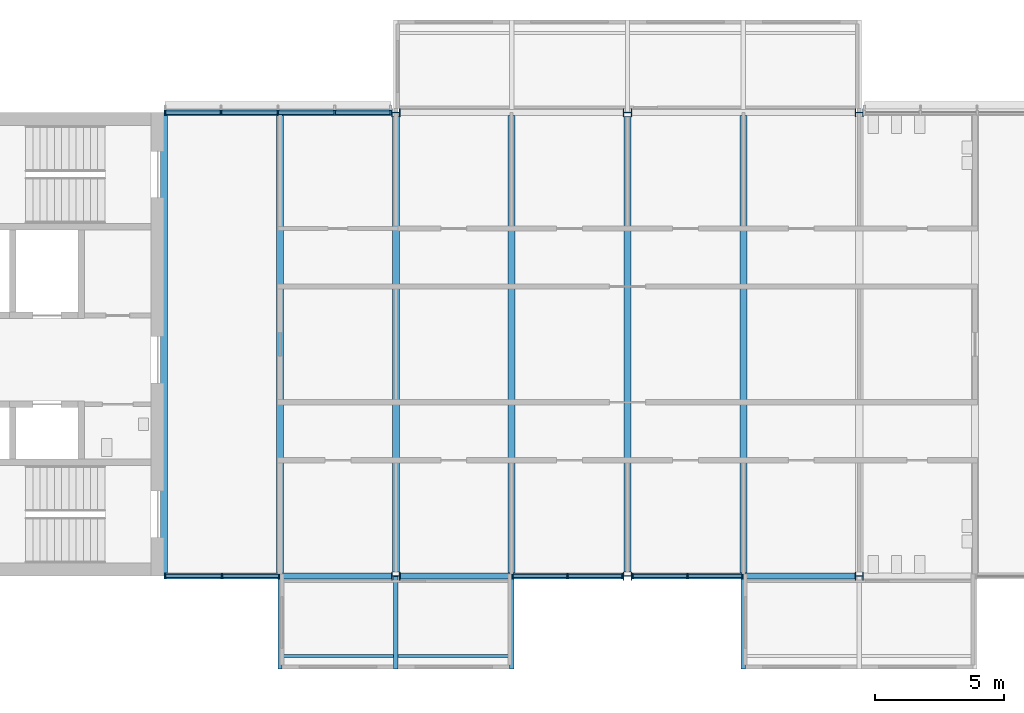
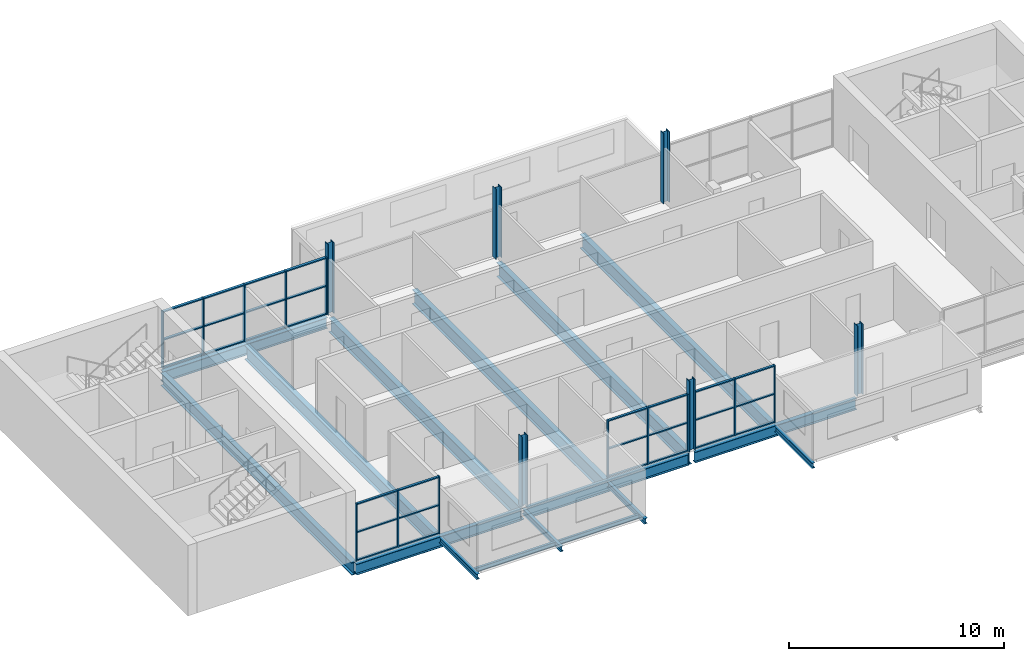
# One storey, part 1 of 10: 44 members, 16 beams, 6 columns, 4 elements without a shape of their own.
"""IFC4 building model written with IfcOpenShell, lengths in metres."""

from ifc_helpers import new_model, si_unit, direction, frame, origin, origin_2d, place, context, subcontext, project, spatial, rectangle, i_section, extrude, material, layer, layer_set, material_profile, profile_set, type_object, element, aggregate, save


model = new_model("IFC4")

# Units and contexts
model_context = context("Model", 3, precision=1e-05, world=origin(), true_north=direction((0.0, 1.0)))
body_context = subcontext(model_context, "Body", "Model", "MODEL_VIEW")
ifc_project = project(units=[si_unit("LENGTHUNIT", "METRE"), si_unit("AREAUNIT", "SQUARE_METRE"), si_unit("VOLUMEUNIT", "CUBIC_METRE"), si_unit("PLANEANGLEUNIT", "RADIAN"), si_unit("MASSUNIT", "GRAM", prefix="KILO")], contexts=[model_context])

# Site, building, storey
site_placement = place(None, origin())
site = spatial("IfcSite", under=ifc_project, at=site_placement, CompositionType="ELEMENT")
building_placement = place(site_placement, origin())
building = spatial("IfcBuilding", under=site, at=building_placement, Name="Corbel Yard City Hall", CompositionType="ELEMENT")
storey_placement = place(building_placement, frame((0.0, 0.0, 59.199951171875)))
storey = spatial("IfcBuildingStorey", under=building, at=storey_placement, Name="L14", CompositionType="ELEMENT", Elevation=59.199951171875)

# Columns
ifc_material_1 = material(Name="Steel Grade 300 (300 MPa yield)", Category="steel")
ifc_material_profile_1 = material_profile(ifc_material_1, i_section(OverallWidth=0.31103515625, OverallDepth=0.326904296875, WebThickness=0.015625, FlangeThickness=0.02490234375, at=origin_2d()), Name="310UC158")
ifc_profile_set_1 = profile_set([ifc_material_profile_1], Name="Steel Grade 300 (300 MPa yield)")
column_type = type_object("IfcColumnType", Name="Column 310UC158", PredefinedType="COLUMN", material=ifc_profile_set_1)
for number, where, z_axis, x_axis, name in (
    (1, (18.0, 99.0, 0.0), (0.0, 0.0, 1.0), (0.0, 1.0, 0.0), "Column 310UC158 L/3 L14"),
    (2, (18.0, 117.0, 0.0), (0.0, 0.0, 1.0), (0.0, 1.0, 0.0), "Column 310UC158 N/3 L14"),
    (3, (27.0, 99.0, 0.0), (0.0, 0.0, 1.0), (0.0, 1.0, 0.0), "Column 310UC158 L/4 L14"),
    (4, (27.0, 117.0, 0.0), (0.0, 0.0, 1.0), (0.0, 1.0, 0.0), "Column 310UC158 N/4 L14"),
    (5, (36.0, 99.0, 0.0), (0.0, 0.0, 1.0), (0.0, 1.0, 0.0), "Column 310UC158 L/5 L14"),
    (6, (36.0, 117.0, 0.0), (0.0, 0.0, 1.0), (0.0, 1.0, 0.0), "Column 310UC158 N/5 L14"),
):
    element("IfcColumn", number, at=place(storey_placement, frame(where, z_axis=z_axis, x_axis=x_axis)), inside=storey, type_object=column_type, Name=name, PredefinedType="COLUMN", context=body_context, shape_type="SweptSolid", body=[
        extrude(i_section(OverallWidth=0.31103515625, OverallDepth=0.326904296875, WebThickness=0.015625, FlangeThickness=0.02490234375, at=origin_2d()), origin(), (0.0, 0.0, 1.0), 4.0),
    ])

# Beams
ifc_material_profile_2 = material_profile(ifc_material_1, i_section(OverallWidth=0.22900390625, OverallDepth=0.612060546875, WebThickness=0.011962890625, FlangeThickness=0.01953125, at=origin_2d()), Name="610UB125")
ifc_profile_set_2 = profile_set([ifc_material_profile_2], Name="Steel Grade 300 (300 MPa yield)")
beam_type_1 = type_object("IfcBeamType", Name="Edge beam 610UB125", PredefinedType="BEAM", material=ifc_profile_set_2)
beam_1_placement = place(storey_placement, frame((9.0, 99.0, -0.4560546875), z_axis=(1.0, 0.0, 0.0), x_axis=(0.0, 1.0, 0.0)))
element("IfcBeam", 7, at=beam_1_placement, inside=storey, type_object=beam_type_1, Name="Edge beam 610UB125 EB7 L14tower", PredefinedType="BEAM", context=body_context, shape_type="SweptSolid", body=[
    extrude(i_section(OverallWidth=0.22900390625, OverallDepth=0.612060546875, WebThickness=0.011962890625, FlangeThickness=0.01953125, at=origin_2d()), origin(), (0.0, 0.0, 1.0), 8.83642578125),
])
for number, where, z_axis, x_axis, name in (
    (8, (18.16357421875, 99.0, -0.4560546875), (1.0, 0.0, 0.0), (0.0, 1.0, 0.0), "Edge beam 610UB125 EB7 L14tower"),
    (9, (27.16357421875, 99.0, -0.4560546875), (1.0, 0.0, 0.0), (0.0, 1.0, 0.0), "Edge beam 610UB125 EB7 L14tower"),
):
    element("IfcBeam", number, at=place(storey_placement, frame(where, z_axis=z_axis, x_axis=x_axis)), inside=storey, type_object=beam_type_1, Name=name, PredefinedType="BEAM", context=body_context, shape_type="SweptSolid", body=[
        extrude(i_section(OverallWidth=0.22900390625, OverallDepth=0.612060546875, WebThickness=0.011962890625, FlangeThickness=0.01953125, at=origin_2d()), origin(), (0.0, 0.0, 1.0), 8.6728515625),
    ])
beam_2_placement = place(storey_placement, frame((9.0, 117.0, -0.4560546875), z_axis=(1.0, 0.0, 0.0), x_axis=(0.0, 1.0, 0.0)))
element("IfcBeam", 10, at=beam_2_placement, inside=storey, type_object=beam_type_1, Name="Edge beam 610UB125 EB7 L14tower", PredefinedType="BEAM", context=body_context, shape_type="SweptSolid", body=[
    extrude(i_section(OverallWidth=0.22900390625, OverallDepth=0.612060546875, WebThickness=0.011962890625, FlangeThickness=0.01953125, at=origin_2d()), origin(), (0.0, 0.0, 1.0), 8.83642578125),
])
ifc_material_2 = material(Name="Steel Grade 350", Category="steel")
ifc_material_profile_3 = material_profile(ifc_material_2, i_section(OverallWidth=0.27490234375, OverallDepth=0.800048828125, WebThickness=0.010009765625, FlangeThickness=0.02001953125, at=origin_2d()), Name="800WB146")
ifc_profile_set_3 = profile_set([ifc_material_profile_3], Name="Steel Grade 350")
beam_type_2 = type_object("IfcBeamType", Name="Long-span beam 800WB146", PredefinedType="BEAM", material=ifc_profile_set_3)
for number, where, z_axis, x_axis, name in (
    (11, (18.0, 99.155517578125, -0.550048828125), (0.0, 1.0, 0.0), (-1.0, 0.0, 0.0), "Long-span beam 800WB146 SB8 L14tower"),
    (12, (27.0, 99.155517578125, -0.550048828125), (0.0, 1.0, 0.0), (-1.0, 0.0, 0.0), "Long-span beam 800WB146 SB8 L14tower"),
):
    element("IfcBeam", number, at=place(storey_placement, frame(where, z_axis=z_axis, x_axis=x_axis)), inside=storey, type_object=beam_type_2, Name=name, PredefinedType="BEAM", context=body_context, shape_type="SweptSolid", body=[
        extrude(i_section(OverallWidth=0.27490234375, OverallDepth=0.800048828125, WebThickness=0.010009765625, FlangeThickness=0.02001953125, at=origin_2d()), origin(), (0.0, 0.0, 1.0), 17.68896484375),
    ])
ifc_material_profile_4 = material_profile(ifc_material_2, i_section(OverallWidth=0.27490234375, OverallDepth=0.716064453125, WebThickness=0.010009765625, FlangeThickness=0.028076171875, at=origin_2d()), Name="700WB173")
ifc_profile_set_4 = profile_set([ifc_material_profile_4], Name="Steel Grade 350")
beam_type_3 = type_object("IfcBeamType", Name="Long-span edge beam 700WB173", PredefinedType="BEAM", material=ifc_profile_set_4)
beam_3_placement = place(storey_placement, frame((9.0, 99.114501953125, -0.508056640625), z_axis=(0.0, 1.0, 0.0), x_axis=(-1.0, 0.0, 0.0)))
element("IfcBeam", 13, at=beam_3_placement, inside=storey, type_object=beam_type_3, Name="Long-span edge beam 700WB173 EB10 L14tower", PredefinedType="BEAM", context=body_context, shape_type="SweptSolid", body=[
    extrude(i_section(OverallWidth=0.27490234375, OverallDepth=0.716064453125, WebThickness=0.010009765625, FlangeThickness=0.028076171875, at=origin_2d()), origin(), (0.0, 0.0, 1.0), 17.77099609375),
])
ifc_material_profile_5 = material_profile(ifc_material_2, i_section(OverallWidth=0.27490234375, OverallDepth=0.800048828125, WebThickness=0.010009765625, FlangeThickness=0.02001953125, at=origin_2d()), Name="800WB146")
ifc_profile_set_5 = profile_set([ifc_material_profile_5], Name="Steel Grade 350")
beam_type_4 = type_object("IfcBeamType", Name="Long-span secondary beam 800WB146", PredefinedType="JOIST", material=ifc_profile_set_5)
for number, where, z_axis, x_axis, name in (
    (14, (13.5, 99.114501953125, -0.550048828125), (0.0, 1.0, 0.0), (-1.0, 0.0, 0.0), "Long-span secondary beam 800WB146 SB7 L14tower"),
    (15, (22.5, 99.114501953125, -0.550048828125), (0.0, 1.0, 0.0), (-1.0, 0.0, 0.0), "Long-span secondary beam 800WB146 SB7 L14tower"),
    (16, (31.5, 99.114501953125, -0.550048828125), (0.0, 1.0, 0.0), (-1.0, 0.0, 0.0), "Long-span secondary beam 800WB146 SB7 L14tower"),
):
    element("IfcBeam", number, at=place(storey_placement, frame(where, z_axis=z_axis, x_axis=x_axis)), inside=storey, type_object=beam_type_4, Name=name, PredefinedType="JOIST", context=body_context, shape_type="SweptSolid", body=[
        extrude(i_section(OverallWidth=0.27490234375, OverallDepth=0.800048828125, WebThickness=0.010009765625, FlangeThickness=0.02001953125, at=origin_2d()), origin(), (0.0, 0.0, 1.0), 17.77099609375),
    ])

# Curtain wall, members
ifc_material_3 = material(Name="Aluminium extrusion", Category="aluminium")
ifc_layer_1 = layer(ifc_material_3, 0.14990234375)
ifc_layer_set_1 = layer_set([ifc_layer_1], Name="Aluminium extrusion")
curtain_wall_type_1 = type_object("IfcCurtainWallType", Name="CW2", PredefinedType="USERDEFINED", material=ifc_layer_set_1)
curtain_wall_1_placement = place(storey_placement, origin())
curtain_wall_1 = element("IfcCurtainWall", 17, at=curtain_wall_1_placement, inside=storey, type_object=curtain_wall_type_1, Name="Curtain wall CW2 L14", ObjectType="CURTAIN WALL", PredefinedType="USERDEFINED")
ifc_material_profile_6 = material_profile(ifc_material_3, rectangle(XDim=0.14990234375, YDim=0.06494140625, at=origin_2d()), Name="150x65")
ifc_profile_set_6 = profile_set([ifc_material_profile_6], Name="Aluminium extrusion")
member_type_1 = type_object("IfcMemberType", Name="ML2", PredefinedType="MULLION", material=ifc_profile_set_6)
member_1_placement = place(storey_placement, frame((9.032470703125, 99.0, 0.0), z_axis=(0.0, 0.0, 1.0), x_axis=(0.0, 1.0, 0.0)))
member_1 = element("IfcMember", 18, at=member_1_placement, type_object=member_type_1, Name="CW2 mullion 1", PredefinedType="MULLION", context=body_context, shape_type="SweptSolid", body=[
    extrude(rectangle(XDim=0.14990234375, YDim=0.06494140625, at=origin_2d()), origin(), (0.0, 0.0, 1.0), 3.238037109375),
])
member_2_placement = place(storey_placement, frame((11.25, 99.0, 0.0), z_axis=(0.0, 0.0, 1.0), x_axis=(0.0, 1.0, 0.0)))
member_2 = element("IfcMember", 19, at=member_2_placement, type_object=member_type_1, Name="CW2 mullion 2", PredefinedType="MULLION", context=body_context, shape_type="SweptSolid", body=[
    extrude(rectangle(XDim=0.14990234375, YDim=0.06494140625, at=origin_2d()), origin(), (0.0, 0.0, 1.0), 3.238037109375),
])
member_3_placement = place(storey_placement, frame((13.467529296875, 99.0, 0.0), z_axis=(0.0, 0.0, 1.0), x_axis=(0.0, 1.0, 0.0)))
member_3 = element("IfcMember", 20, at=member_3_placement, type_object=member_type_1, Name="CW2 mullion 3", PredefinedType="MULLION", context=body_context, shape_type="SweptSolid", body=[
    extrude(rectangle(XDim=0.14990234375, YDim=0.06494140625, at=origin_2d()), origin(), (0.0, 0.0, 1.0), 3.238037109375),
])

curtain_wall_2_placement = place(storey_placement, origin())
curtain_wall_2 = element("IfcCurtainWall", 21, at=curtain_wall_2_placement, inside=storey, type_object=curtain_wall_type_1, Name="Curtain wall CW2 L14", ObjectType="CURTAIN WALL", PredefinedType="USERDEFINED")
member_4_placement = place(storey_placement, frame((22.532470703125, 99.0, 0.0), z_axis=(0.0, 0.0, 1.0), x_axis=(0.0, 1.0, 0.0)))
member_4 = element("IfcMember", 22, at=member_4_placement, type_object=member_type_1, Name="CW2 mullion 1", PredefinedType="MULLION", context=body_context, shape_type="SweptSolid", body=[
    extrude(rectangle(XDim=0.14990234375, YDim=0.06494140625, at=origin_2d()), origin(), (0.0, 0.0, 1.0), 3.238037109375),
])
member_5_placement = place(storey_placement, frame((24.668212890625, 99.0, 0.0), z_axis=(0.0, 0.0, 1.0), x_axis=(0.0, 1.0, 0.0)))
member_5 = element("IfcMember", 23, at=member_5_placement, type_object=member_type_1, Name="CW2 mullion 2", PredefinedType="MULLION", context=body_context, shape_type="SweptSolid", body=[
    extrude(rectangle(XDim=0.14990234375, YDim=0.06494140625, at=origin_2d()), origin(), (0.0, 0.0, 1.0), 3.238037109375),
])
member_6_placement = place(storey_placement, frame((26.803955078125, 99.0, 0.0), z_axis=(0.0, 0.0, 1.0), x_axis=(0.0, 1.0, 0.0)))
member_6 = element("IfcMember", 24, at=member_6_placement, type_object=member_type_1, Name="CW2 mullion 3", PredefinedType="MULLION", context=body_context, shape_type="SweptSolid", body=[
    extrude(rectangle(XDim=0.14990234375, YDim=0.06494140625, at=origin_2d()), origin(), (0.0, 0.0, 1.0), 3.238037109375),
])

curtain_wall_3_placement = place(storey_placement, origin())
curtain_wall_3 = element("IfcCurtainWall", 25, at=curtain_wall_3_placement, inside=storey, type_object=curtain_wall_type_1, Name="Curtain wall CW2 L14", ObjectType="CURTAIN WALL", PredefinedType="USERDEFINED")
member_7_placement = place(storey_placement, frame((27.196044921875, 99.0, 0.0), z_axis=(0.0, 0.0, 1.0), x_axis=(0.0, 1.0, 0.0)))
member_7 = element("IfcMember", 26, at=member_7_placement, type_object=member_type_1, Name="CW2 mullion 1", PredefinedType="MULLION", context=body_context, shape_type="SweptSolid", body=[
    extrude(rectangle(XDim=0.14990234375, YDim=0.06494140625, at=origin_2d()), origin(), (0.0, 0.0, 1.0), 3.238037109375),
])
member_8_placement = place(storey_placement, frame((29.331787109375, 99.0, 0.0), z_axis=(0.0, 0.0, 1.0), x_axis=(0.0, 1.0, 0.0)))
member_8 = element("IfcMember", 27, at=member_8_placement, type_object=member_type_1, Name="CW2 mullion 2", PredefinedType="MULLION", context=body_context, shape_type="SweptSolid", body=[
    extrude(rectangle(XDim=0.14990234375, YDim=0.06494140625, at=origin_2d()), origin(), (0.0, 0.0, 1.0), 3.238037109375),
])
member_9_placement = place(storey_placement, frame((31.467529296875, 99.0, 0.0), z_axis=(0.0, 0.0, 1.0), x_axis=(0.0, 1.0, 0.0)))
member_9 = element("IfcMember", 28, at=member_9_placement, type_object=member_type_1, Name="CW2 mullion 3", PredefinedType="MULLION", context=body_context, shape_type="SweptSolid", body=[
    extrude(rectangle(XDim=0.14990234375, YDim=0.06494140625, at=origin_2d()), origin(), (0.0, 0.0, 1.0), 3.238037109375),
])

ifc_layer_2 = layer(ifc_material_3, 0.179931640625)
ifc_layer_set_2 = layer_set([ifc_layer_2], Name="Aluminium extrusion")
curtain_wall_type_2 = type_object("IfcCurtainWallType", Name="CW6", PredefinedType="USERDEFINED", material=ifc_layer_set_2)
curtain_wall_4_placement = place(storey_placement, origin())
curtain_wall_4 = element("IfcCurtainWall", 29, at=curtain_wall_4_placement, inside=storey, type_object=curtain_wall_type_2, Name="Curtain wall CW6 L14", ObjectType="CURTAIN WALL", PredefinedType="USERDEFINED")
ifc_material_profile_7 = material_profile(ifc_material_3, rectangle(XDim=0.179931640625, YDim=0.06494140625, at=origin_2d()), Name="180x65")
ifc_profile_set_7 = profile_set([ifc_material_profile_7], Name="Aluminium extrusion")
member_type_2 = type_object("IfcMemberType", Name="ML6", PredefinedType="MULLION", material=ifc_profile_set_7)
member_10_placement = place(storey_placement, frame((9.032470703125, 117.0, 0.0), z_axis=(0.0, 0.0, 1.0), x_axis=(0.0, 1.0, 0.0)))
member_10 = element("IfcMember", 30, at=member_10_placement, type_object=member_type_2, Name="CW6 mullion 1", PredefinedType="MULLION", context=body_context, shape_type="SweptSolid", body=[
    extrude(rectangle(XDim=0.179931640625, YDim=0.06494140625, at=origin_2d()), origin(), (0.0, 0.0, 1.0), 3.238037109375),
])
member_11_placement = place(storey_placement, frame((11.209228515625, 117.0, 0.0), z_axis=(0.0, 0.0, 1.0), x_axis=(0.0, 1.0, 0.0)))
member_11 = element("IfcMember", 31, at=member_11_placement, type_object=member_type_2, Name="CW6 mullion 2", PredefinedType="MULLION", context=body_context, shape_type="SweptSolid", body=[
    extrude(rectangle(XDim=0.179931640625, YDim=0.06494140625, at=origin_2d()), origin(), (0.0, 0.0, 1.0), 3.238037109375),
])
member_12_placement = place(storey_placement, frame((13.418212890625, 117.0, 0.0), z_axis=(0.0, 0.0, 1.0), x_axis=(0.0, 1.0, 0.0)))
member_12 = element("IfcMember", 32, at=member_12_placement, type_object=member_type_2, Name="CW6 mullion 3", PredefinedType="MULLION", context=body_context, shape_type="SweptSolid", body=[
    extrude(rectangle(XDim=0.179931640625, YDim=0.06494140625, at=origin_2d()), origin(), (0.0, 0.0, 1.0), 3.238037109375),
])
member_13_placement = place(storey_placement, frame((15.62744140625, 117.0, 0.0), z_axis=(0.0, 0.0, 1.0), x_axis=(0.0, 1.0, 0.0)))
member_13 = element("IfcMember", 33, at=member_13_placement, type_object=member_type_2, Name="CW6 mullion 4", PredefinedType="MULLION", context=body_context, shape_type="SweptSolid", body=[
    extrude(rectangle(XDim=0.179931640625, YDim=0.06494140625, at=origin_2d()), origin(), (0.0, 0.0, 1.0), 3.238037109375),
])
member_14_placement = place(storey_placement, frame((17.803955078125, 117.0, 0.0), z_axis=(0.0, 0.0, 1.0), x_axis=(0.0, 1.0, 0.0)))
member_14 = element("IfcMember", 34, at=member_14_placement, type_object=member_type_2, Name="CW6 mullion 5", PredefinedType="MULLION", context=body_context, shape_type="SweptSolid", body=[
    extrude(rectangle(XDim=0.179931640625, YDim=0.06494140625, at=origin_2d()), origin(), (0.0, 0.0, 1.0), 3.238037109375),
])

# Beams
ifc_material_profile_8 = material_profile(ifc_material_1, i_section(OverallWidth=0.166015625, OverallDepth=0.306884765625, WebThickness=0.006591796875, FlangeThickness=0.01171875, at=origin_2d()), Name="310UB46.2")
ifc_profile_set_8 = profile_set([ifc_material_profile_8], Name="Steel Grade 300 (300 MPa yield)")
beam_type_5 = type_object("IfcBeamType", Name="Pod stub beam 310UB46.2", PredefinedType="BEAM", material=ifc_profile_set_8)
beam_4_placement = place(storey_placement, frame((13.5, 95.39990234375, -0.303466796875), z_axis=(0.0, 1.0, 0.0), x_axis=(-1.0, 0.0, 0.0)))
element("IfcBeam", 35, at=beam_4_placement, inside=storey, type_object=beam_type_5, Name="Pod stub 310UB46.2 CB1 L14", PredefinedType="BEAM", context=body_context, shape_type="SweptSolid", body=[
    extrude(i_section(OverallWidth=0.166015625, OverallDepth=0.306884765625, WebThickness=0.006591796875, FlangeThickness=0.01171875, at=origin_2d()), origin(), (0.0, 0.0, 1.0), 3.485595703125),
])
beam_5_placement = place(storey_placement, frame((18.0, 95.39990234375, -0.303466796875), z_axis=(0.0, 1.0, 0.0), x_axis=(-1.0, 0.0, 0.0)))
element("IfcBeam", 36, at=beam_5_placement, inside=storey, type_object=beam_type_5, Name="Pod stub 310UB46.2 CB1 L14", PredefinedType="BEAM", context=body_context, shape_type="SweptSolid", body=[
    extrude(i_section(OverallWidth=0.166015625, OverallDepth=0.306884765625, WebThickness=0.006591796875, FlangeThickness=0.01171875, at=origin_2d()), origin(), (0.0, 0.0, 1.0), 3.59228515625),
])
for number, where, z_axis, x_axis, name in (
    (37, (22.5, 95.39990234375, -0.303466796875), (0.0, 1.0, 0.0), (-1.0, 0.0, 0.0), "Pod stub 310UB46.2 CB1 L14"),
    (38, (31.5, 95.39990234375, -0.303466796875), (0.0, 1.0, 0.0), (-1.0, 0.0, 0.0), "Pod stub 310UB46.2 CB1 L14"),
):
    element("IfcBeam", number, at=place(storey_placement, frame(where, z_axis=z_axis, x_axis=x_axis)), inside=storey, type_object=beam_type_5, Name=name, PredefinedType="BEAM", context=body_context, shape_type="SweptSolid", body=[
        extrude(i_section(OverallWidth=0.166015625, OverallDepth=0.306884765625, WebThickness=0.006591796875, FlangeThickness=0.01171875, at=origin_2d()), origin(), (0.0, 0.0, 1.0), 3.485595703125),
    ])
ifc_material_profile_9 = material_profile(ifc_material_1, i_section(OverallWidth=0.1240234375, OverallDepth=0.248046875, WebThickness=0.0048828125, FlangeThickness=0.008056640625, at=origin_2d()), Name="250UB25.7")
ifc_profile_set_9 = profile_set([ifc_material_profile_9], Name="Steel Grade 300 (300 MPa yield)")
beam_type_6 = type_object("IfcBeamType", Name="Pod tip beam", PredefinedType="BEAM", material=ifc_profile_set_9)
for number, where, z_axis, x_axis, name in (
    (39, (13.5830078125, 95.89990234375, -0.27392578125), (1.0, 0.0, 0.0), (0.0, 1.0, 0.0), "Pod tip beam"),
    (40, (18.0830078125, 95.89990234375, -0.27392578125), (1.0, 0.0, 0.0), (0.0, 1.0, 0.0), "Pod tip beam"),
):
    element("IfcBeam", number, at=place(storey_placement, frame(where, z_axis=z_axis, x_axis=x_axis)), inside=storey, type_object=beam_type_6, Name=name, PredefinedType="BEAM", context=body_context, shape_type="SweptSolid", body=[
        extrude(i_section(OverallWidth=0.1240234375, OverallDepth=0.248046875, WebThickness=0.0048828125, FlangeThickness=0.008056640625, at=origin_2d()), origin(), (0.0, 0.0, 1.0), 4.333984375),
    ])

# Member
ifc_material_profile_10 = material_profile(ifc_material_3, rectangle(XDim=0.1201171875, YDim=0.06494140625, at=origin_2d()), Name="120x65")
ifc_profile_set_10 = profile_set([ifc_material_profile_10], Name="Aluminium extrusion")
member_type_3 = type_object("IfcMemberType", Name="TR2", PredefinedType="USERDEFINED", material=ifc_profile_set_10)
member_15_placement = place(storey_placement, frame((9.06494140625, 99.0, 0.032470703125), z_axis=(1.0, 0.0, 0.0), x_axis=(0.0, 1.0, 0.0)))
member_15 = element("IfcMember", 41, at=member_15_placement, type_object=member_type_3, Name="CW2 transom 1.1", ObjectType="TRANSOM", PredefinedType="USERDEFINED", context=body_context, shape_type="SweptSolid", body=[
    extrude(rectangle(XDim=0.1201171875, YDim=0.06494140625, at=origin_2d()), origin(), (0.0, 0.0, 1.0), 2.152587890625),
])

member_16_placement = place(storey_placement, frame((9.06494140625, 99.0, 1.619140625), z_axis=(1.0, 0.0, 0.0), x_axis=(0.0, 1.0, 0.0)))
member_16 = element("IfcMember", 42, at=member_16_placement, type_object=member_type_3, Name="CW2 transom 1.2", ObjectType="TRANSOM", PredefinedType="USERDEFINED", context=body_context, shape_type="SweptSolid", body=[
    extrude(rectangle(XDim=0.1201171875, YDim=0.06494140625, at=origin_2d()), origin(), (0.0, 0.0, 1.0), 2.152587890625),
])

member_17_placement = place(storey_placement, frame((9.06494140625, 99.0, 3.20556640625), z_axis=(1.0, 0.0, 0.0), x_axis=(0.0, 1.0, 0.0)))
member_17 = element("IfcMember", 43, at=member_17_placement, type_object=member_type_3, Name="CW2 transom 1.3", ObjectType="TRANSOM", PredefinedType="USERDEFINED", context=body_context, shape_type="SweptSolid", body=[
    extrude(rectangle(XDim=0.1201171875, YDim=0.06494140625, at=origin_2d()), origin(), (0.0, 0.0, 1.0), 2.152587890625),
])

member_18_placement = place(storey_placement, frame((11.282470703125, 99.0, 0.032470703125), z_axis=(1.0, 0.0, 0.0), x_axis=(0.0, 1.0, 0.0)))
member_18 = element("IfcMember", 44, at=member_18_placement, type_object=member_type_3, Name="CW2 transom 2.1", ObjectType="TRANSOM", PredefinedType="USERDEFINED", context=body_context, shape_type="SweptSolid", body=[
    extrude(rectangle(XDim=0.1201171875, YDim=0.06494140625, at=origin_2d()), origin(), (0.0, 0.0, 1.0), 2.152587890625),
])

member_19_placement = place(storey_placement, frame((11.282470703125, 99.0, 1.619140625), z_axis=(1.0, 0.0, 0.0), x_axis=(0.0, 1.0, 0.0)))
member_19 = element("IfcMember", 45, at=member_19_placement, type_object=member_type_3, Name="CW2 transom 2.2", ObjectType="TRANSOM", PredefinedType="USERDEFINED", context=body_context, shape_type="SweptSolid", body=[
    extrude(rectangle(XDim=0.1201171875, YDim=0.06494140625, at=origin_2d()), origin(), (0.0, 0.0, 1.0), 2.152587890625),
])

member_20_placement = place(storey_placement, frame((11.282470703125, 99.0, 3.20556640625), z_axis=(1.0, 0.0, 0.0), x_axis=(0.0, 1.0, 0.0)))
member_20 = element("IfcMember", 46, at=member_20_placement, type_object=member_type_3, Name="CW2 transom 2.3", ObjectType="TRANSOM", PredefinedType="USERDEFINED", context=body_context, shape_type="SweptSolid", body=[
    extrude(rectangle(XDim=0.1201171875, YDim=0.06494140625, at=origin_2d()), origin(), (0.0, 0.0, 1.0), 2.152587890625),
])

aggregate(curtain_wall_1, [member_1, member_2, member_3, member_15, member_16, member_17, member_18, member_19, member_20])

member_21_placement = place(storey_placement, frame((22.56494140625, 99.0, 0.032470703125), z_axis=(1.0, 0.0, 0.0), x_axis=(0.0, 1.0, 0.0)))
member_21 = element("IfcMember", 47, at=member_21_placement, type_object=member_type_3, Name="CW2 transom 1.1", ObjectType="TRANSOM", PredefinedType="USERDEFINED", context=body_context, shape_type="SweptSolid", body=[
    extrude(rectangle(XDim=0.1201171875, YDim=0.06494140625, at=origin_2d()), origin(), (0.0, 0.0, 1.0), 2.07080078125),
])

member_22_placement = place(storey_placement, frame((22.56494140625, 99.0, 1.619140625), z_axis=(1.0, 0.0, 0.0), x_axis=(0.0, 1.0, 0.0)))
member_22 = element("IfcMember", 48, at=member_22_placement, type_object=member_type_3, Name="CW2 transom 1.2", ObjectType="TRANSOM", PredefinedType="USERDEFINED", context=body_context, shape_type="SweptSolid", body=[
    extrude(rectangle(XDim=0.1201171875, YDim=0.06494140625, at=origin_2d()), origin(), (0.0, 0.0, 1.0), 2.07080078125),
])

member_23_placement = place(storey_placement, frame((22.56494140625, 99.0, 3.20556640625), z_axis=(1.0, 0.0, 0.0), x_axis=(0.0, 1.0, 0.0)))
member_23 = element("IfcMember", 49, at=member_23_placement, type_object=member_type_3, Name="CW2 transom 1.3", ObjectType="TRANSOM", PredefinedType="USERDEFINED", context=body_context, shape_type="SweptSolid", body=[
    extrude(rectangle(XDim=0.1201171875, YDim=0.06494140625, at=origin_2d()), origin(), (0.0, 0.0, 1.0), 2.07080078125),
])

member_24_placement = place(storey_placement, frame((24.70068359375, 99.0, 0.032470703125), z_axis=(1.0, 0.0, 0.0), x_axis=(0.0, 1.0, 0.0)))
member_24 = element("IfcMember", 50, at=member_24_placement, type_object=member_type_3, Name="CW2 transom 2.1", ObjectType="TRANSOM", PredefinedType="USERDEFINED", context=body_context, shape_type="SweptSolid", body=[
    extrude(rectangle(XDim=0.1201171875, YDim=0.06494140625, at=origin_2d()), origin(), (0.0, 0.0, 1.0), 2.07080078125),
])

member_25_placement = place(storey_placement, frame((24.70068359375, 99.0, 1.619140625), z_axis=(1.0, 0.0, 0.0), x_axis=(0.0, 1.0, 0.0)))
member_25 = element("IfcMember", 51, at=member_25_placement, type_object=member_type_3, Name="CW2 transom 2.2", ObjectType="TRANSOM", PredefinedType="USERDEFINED", context=body_context, shape_type="SweptSolid", body=[
    extrude(rectangle(XDim=0.1201171875, YDim=0.06494140625, at=origin_2d()), origin(), (0.0, 0.0, 1.0), 2.07080078125),
])

member_26_placement = place(storey_placement, frame((24.70068359375, 99.0, 3.20556640625), z_axis=(1.0, 0.0, 0.0), x_axis=(0.0, 1.0, 0.0)))
member_26 = element("IfcMember", 52, at=member_26_placement, type_object=member_type_3, Name="CW2 transom 2.3", ObjectType="TRANSOM", PredefinedType="USERDEFINED", context=body_context, shape_type="SweptSolid", body=[
    extrude(rectangle(XDim=0.1201171875, YDim=0.06494140625, at=origin_2d()), origin(), (0.0, 0.0, 1.0), 2.07080078125),
])

aggregate(curtain_wall_2, [member_4, member_5, member_6, member_21, member_22, member_23, member_24, member_25, member_26])

member_27_placement = place(storey_placement, frame((27.228515625, 99.0, 0.032470703125), z_axis=(1.0, 0.0, 0.0), x_axis=(0.0, 1.0, 0.0)))
member_27 = element("IfcMember", 53, at=member_27_placement, type_object=member_type_3, Name="CW2 transom 1.1", ObjectType="TRANSOM", PredefinedType="USERDEFINED", context=body_context, shape_type="SweptSolid", body=[
    extrude(rectangle(XDim=0.1201171875, YDim=0.06494140625, at=origin_2d()), origin(), (0.0, 0.0, 1.0), 2.07080078125),
])

member_28_placement = place(storey_placement, frame((27.228515625, 99.0, 1.619140625), z_axis=(1.0, 0.0, 0.0), x_axis=(0.0, 1.0, 0.0)))
member_28 = element("IfcMember", 54, at=member_28_placement, type_object=member_type_3, Name="CW2 transom 1.2", ObjectType="TRANSOM", PredefinedType="USERDEFINED", context=body_context, shape_type="SweptSolid", body=[
    extrude(rectangle(XDim=0.1201171875, YDim=0.06494140625, at=origin_2d()), origin(), (0.0, 0.0, 1.0), 2.07080078125),
])

member_29_placement = place(storey_placement, frame((27.228515625, 99.0, 3.20556640625), z_axis=(1.0, 0.0, 0.0), x_axis=(0.0, 1.0, 0.0)))
member_29 = element("IfcMember", 55, at=member_29_placement, type_object=member_type_3, Name="CW2 transom 1.3", ObjectType="TRANSOM", PredefinedType="USERDEFINED", context=body_context, shape_type="SweptSolid", body=[
    extrude(rectangle(XDim=0.1201171875, YDim=0.06494140625, at=origin_2d()), origin(), (0.0, 0.0, 1.0), 2.07080078125),
])

member_30_placement = place(storey_placement, frame((29.3642578125, 99.0, 0.032470703125), z_axis=(1.0, 0.0, 0.0), x_axis=(0.0, 1.0, 0.0)))
member_30 = element("IfcMember", 56, at=member_30_placement, type_object=member_type_3, Name="CW2 transom 2.1", ObjectType="TRANSOM", PredefinedType="USERDEFINED", context=body_context, shape_type="SweptSolid", body=[
    extrude(rectangle(XDim=0.1201171875, YDim=0.06494140625, at=origin_2d()), origin(), (0.0, 0.0, 1.0), 2.07080078125),
])

member_31_placement = place(storey_placement, frame((29.3642578125, 99.0, 1.619140625), z_axis=(1.0, 0.0, 0.0), x_axis=(0.0, 1.0, 0.0)))
member_31 = element("IfcMember", 57, at=member_31_placement, type_object=member_type_3, Name="CW2 transom 2.2", ObjectType="TRANSOM", PredefinedType="USERDEFINED", context=body_context, shape_type="SweptSolid", body=[
    extrude(rectangle(XDim=0.1201171875, YDim=0.06494140625, at=origin_2d()), origin(), (0.0, 0.0, 1.0), 2.07080078125),
])

member_32_placement = place(storey_placement, frame((29.3642578125, 99.0, 3.20556640625), z_axis=(1.0, 0.0, 0.0), x_axis=(0.0, 1.0, 0.0)))
member_32 = element("IfcMember", 58, at=member_32_placement, type_object=member_type_3, Name="CW2 transom 2.3", ObjectType="TRANSOM", PredefinedType="USERDEFINED", context=body_context, shape_type="SweptSolid", body=[
    extrude(rectangle(XDim=0.1201171875, YDim=0.06494140625, at=origin_2d()), origin(), (0.0, 0.0, 1.0), 2.07080078125),
])

aggregate(curtain_wall_3, [member_7, member_8, member_9, member_27, member_28, member_29, member_30, member_31, member_32])

ifc_material_profile_11 = material_profile(ifc_material_3, rectangle(XDim=0.139892578125, YDim=0.06494140625, at=origin_2d()), Name="140x65")
ifc_profile_set_11 = profile_set([ifc_material_profile_11], Name="Aluminium extrusion")
member_type_4 = type_object("IfcMemberType", Name="TR6", PredefinedType="USERDEFINED", material=ifc_profile_set_11)
member_33_placement = place(storey_placement, frame((9.06494140625, 117.0, 0.032470703125), z_axis=(1.0, 0.0, 0.0), x_axis=(0.0, 1.0, 0.0)))
member_33 = element("IfcMember", 59, at=member_33_placement, type_object=member_type_4, Name="CW6 transom 1.1", ObjectType="TRANSOM", PredefinedType="USERDEFINED", context=body_context, shape_type="SweptSolid", body=[
    extrude(rectangle(XDim=0.139892578125, YDim=0.06494140625, at=origin_2d()), origin(), (0.0, 0.0, 1.0), 2.111572265625),
])

member_34_placement = place(storey_placement, frame((9.06494140625, 117.0, 1.619140625), z_axis=(1.0, 0.0, 0.0), x_axis=(0.0, 1.0, 0.0)))
member_34 = element("IfcMember", 60, at=member_34_placement, type_object=member_type_4, Name="CW6 transom 1.2", ObjectType="TRANSOM", PredefinedType="USERDEFINED", context=body_context, shape_type="SweptSolid", body=[
    extrude(rectangle(XDim=0.139892578125, YDim=0.06494140625, at=origin_2d()), origin(), (0.0, 0.0, 1.0), 2.111572265625),
])

member_35_placement = place(storey_placement, frame((9.06494140625, 117.0, 3.20556640625), z_axis=(1.0, 0.0, 0.0), x_axis=(0.0, 1.0, 0.0)))
member_35 = element("IfcMember", 61, at=member_35_placement, type_object=member_type_4, Name="CW6 transom 1.3", ObjectType="TRANSOM", PredefinedType="USERDEFINED", context=body_context, shape_type="SweptSolid", body=[
    extrude(rectangle(XDim=0.139892578125, YDim=0.06494140625, at=origin_2d()), origin(), (0.0, 0.0, 1.0), 2.111572265625),
])

member_36_placement = place(storey_placement, frame((11.24169921875, 117.0, 0.032470703125), z_axis=(1.0, 0.0, 0.0), x_axis=(0.0, 1.0, 0.0)))
member_36 = element("IfcMember", 62, at=member_36_placement, type_object=member_type_4, Name="CW6 transom 2.1", ObjectType="TRANSOM", PredefinedType="USERDEFINED", context=body_context, shape_type="SweptSolid", body=[
    extrude(rectangle(XDim=0.139892578125, YDim=0.06494140625, at=origin_2d()), origin(), (0.0, 0.0, 1.0), 2.14404296875),
])

member_37_placement = place(storey_placement, frame((11.24169921875, 117.0, 1.619140625), z_axis=(1.0, 0.0, 0.0), x_axis=(0.0, 1.0, 0.0)))
member_37 = element("IfcMember", 63, at=member_37_placement, type_object=member_type_4, Name="CW6 transom 2.2", ObjectType="TRANSOM", PredefinedType="USERDEFINED", context=body_context, shape_type="SweptSolid", body=[
    extrude(rectangle(XDim=0.139892578125, YDim=0.06494140625, at=origin_2d()), origin(), (0.0, 0.0, 1.0), 2.14404296875),
])

member_38_placement = place(storey_placement, frame((11.24169921875, 117.0, 3.20556640625), z_axis=(1.0, 0.0, 0.0), x_axis=(0.0, 1.0, 0.0)))
member_38 = element("IfcMember", 64, at=member_38_placement, type_object=member_type_4, Name="CW6 transom 2.3", ObjectType="TRANSOM", PredefinedType="USERDEFINED", context=body_context, shape_type="SweptSolid", body=[
    extrude(rectangle(XDim=0.139892578125, YDim=0.06494140625, at=origin_2d()), origin(), (0.0, 0.0, 1.0), 2.14404296875),
])

member_39_placement = place(storey_placement, frame((13.45068359375, 117.0, 0.032470703125), z_axis=(1.0, 0.0, 0.0), x_axis=(0.0, 1.0, 0.0)))
member_39 = element("IfcMember", 65, at=member_39_placement, type_object=member_type_4, Name="CW6 transom 3.1", ObjectType="TRANSOM", PredefinedType="USERDEFINED", context=body_context, shape_type="SweptSolid", body=[
    extrude(rectangle(XDim=0.139892578125, YDim=0.06494140625, at=origin_2d()), origin(), (0.0, 0.0, 1.0), 2.144287109375),
])

member_40_placement = place(storey_placement, frame((13.45068359375, 117.0, 1.619140625), z_axis=(1.0, 0.0, 0.0), x_axis=(0.0, 1.0, 0.0)))
member_40 = element("IfcMember", 66, at=member_40_placement, type_object=member_type_4, Name="CW6 transom 3.2", ObjectType="TRANSOM", PredefinedType="USERDEFINED", context=body_context, shape_type="SweptSolid", body=[
    extrude(rectangle(XDim=0.139892578125, YDim=0.06494140625, at=origin_2d()), origin(), (0.0, 0.0, 1.0), 2.144287109375),
])

member_41_placement = place(storey_placement, frame((13.45068359375, 117.0, 3.20556640625), z_axis=(1.0, 0.0, 0.0), x_axis=(0.0, 1.0, 0.0)))
member_41 = element("IfcMember", 67, at=member_41_placement, type_object=member_type_4, Name="CW6 transom 3.3", ObjectType="TRANSOM", PredefinedType="USERDEFINED", context=body_context, shape_type="SweptSolid", body=[
    extrude(rectangle(XDim=0.139892578125, YDim=0.06494140625, at=origin_2d()), origin(), (0.0, 0.0, 1.0), 2.144287109375),
])

member_42_placement = place(storey_placement, frame((15.659912109375, 117.0, 0.032470703125), z_axis=(1.0, 0.0, 0.0), x_axis=(0.0, 1.0, 0.0)))
member_42 = element("IfcMember", 68, at=member_42_placement, type_object=member_type_4, Name="CW6 transom 4.1", ObjectType="TRANSOM", PredefinedType="USERDEFINED", context=body_context, shape_type="SweptSolid", body=[
    extrude(rectangle(XDim=0.139892578125, YDim=0.06494140625, at=origin_2d()), origin(), (0.0, 0.0, 1.0), 2.111572265625),
])

member_43_placement = place(storey_placement, frame((15.659912109375, 117.0, 1.619140625), z_axis=(1.0, 0.0, 0.0), x_axis=(0.0, 1.0, 0.0)))
member_43 = element("IfcMember", 69, at=member_43_placement, type_object=member_type_4, Name="CW6 transom 4.2", ObjectType="TRANSOM", PredefinedType="USERDEFINED", context=body_context, shape_type="SweptSolid", body=[
    extrude(rectangle(XDim=0.139892578125, YDim=0.06494140625, at=origin_2d()), origin(), (0.0, 0.0, 1.0), 2.111572265625),
])

member_44_placement = place(storey_placement, frame((15.659912109375, 117.0, 3.20556640625), z_axis=(1.0, 0.0, 0.0), x_axis=(0.0, 1.0, 0.0)))
member_44 = element("IfcMember", 70, at=member_44_placement, type_object=member_type_4, Name="CW6 transom 4.3", ObjectType="TRANSOM", PredefinedType="USERDEFINED", context=body_context, shape_type="SweptSolid", body=[
    extrude(rectangle(XDim=0.139892578125, YDim=0.06494140625, at=origin_2d()), origin(), (0.0, 0.0, 1.0), 2.111572265625),
])

aggregate(curtain_wall_4, [member_10, member_11, member_12, member_13, member_14, member_33, member_34, member_35, member_36, member_37, member_38, member_39, member_40, member_41, member_42, member_43, member_44])

save(model, "model.ifc")
